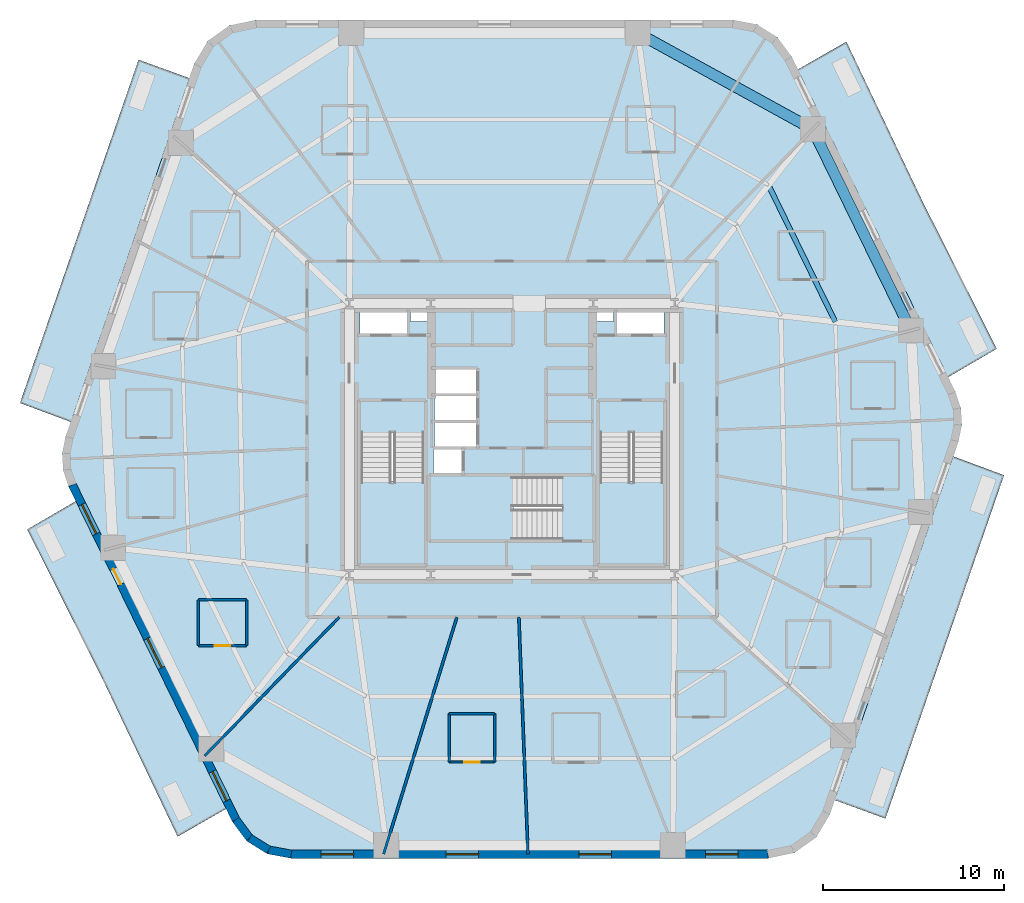
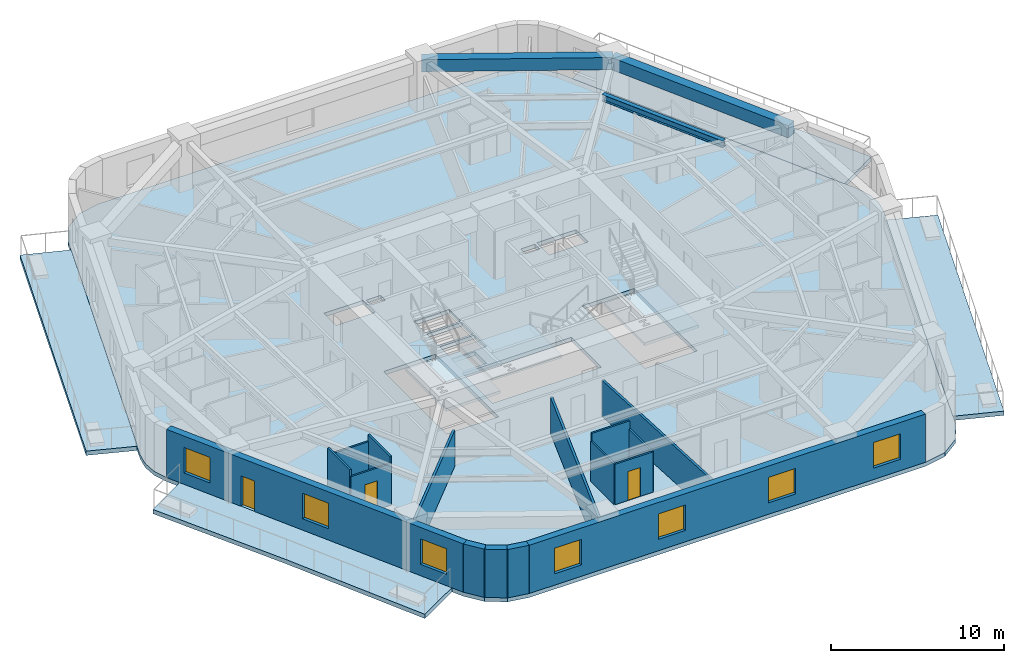
# One storey, part 2 of 10: 16 walls, 8 slabs, 7 windows, 3 beams, 3 doors, 10 openings, 3 elements without a shape of their own.
"""IFC4 building model written with IfcOpenShell, lengths in metres."""

import ifcopenshell
import ifcopenshell.guid

model = None  # the IFC model being written
_history = None  # IfcOwnerHistory: only IFC2X3 demands one
_inside = {}  # id of a spatial element -> (the spatial element, [elements in it])
_under = {}  # id of a project, library or spatial element -> (it, [spatial elements below it])
_declared = {}  # id of a project -> (the project, [libraries it declares])
_typed = {}  # id of a type object -> (the type object, [elements of that type])
_made_of = {}  # id of a material, layer set ... -> (it, [elements and type objects made of it])


def new_model(schema):
    """Start an empty IFC model of exactly this schema.

    Asked for "IFC4X3", IfcOpenShell would pick the latest addendum, in which some entities
    have other attributes; the version numbers below select the first issue.
    IFC2X3 requires an IfcOwnerHistory on every rooted entity: one is made here for all.
    """
    global model, _history
    if schema == "IFC4X3":
        model = ifcopenshell.file(schema_version=(4, 3, 0, 0))
    else:
        model = ifcopenshell.file(schema=schema)
    _inside.clear()
    _under.clear()
    _declared.clear()
    _typed.clear()
    _made_of.clear()
    _history = None
    if model.schema == "IFC2X3":
        org = make("IfcOrganization", Name="unknown")
        user = make(
            "IfcPersonAndOrganization",
            ThePerson=make("IfcPerson", FamilyName="unknown"),
            TheOrganization=org,
        )
        app = make(
            "IfcApplication",
            ApplicationDeveloper=org,
            Version="unknown",
            ApplicationFullName="unknown",
            ApplicationIdentifier="unknown",
        )
        _history = make(
            "IfcOwnerHistory",
            OwningUser=user,
            OwningApplication=app,
            ChangeAction="ADDED",
            CreationDate=0,
        )
    return model


def make(cls, **values):
    """One entity of the class cls with the attributes given. An attribute that is None is left unset."""
    return model.create_entity(
        cls, **{name: value for name, value in values.items() if value is not None}
    )


def rooted(cls, **values):
    """An entity with a GlobalId (a new one), such as an element, a storey or a relation."""
    return make(cls, GlobalId=ifcopenshell.guid.new(), OwnerHistory=_history, **values)


def si_unit(unit_type, name, prefix=None):
    """IfcSIUnit, for example si_unit("LENGTHUNIT", "METRE", prefix="MILLI")."""
    return make("IfcSIUnit", UnitType=unit_type, Prefix=prefix, Name=name)


def assignment(units):
    """IfcUnitAssignment: the units of a project."""
    return None if units is None else make("IfcUnitAssignment", Units=units)


def point(xyz):
    """IfcCartesianPoint."""
    return None if xyz is None else make("IfcCartesianPoint", Coordinates=xyz)


def direction(xyz):
    """IfcDirection."""
    return None if xyz is None else make("IfcDirection", DirectionRatios=xyz)


def frame(location, z_axis=None, x_axis=None):
    """IfcAxis2Placement3D, a coordinate frame: its origin and axes. An axis left out is left unset."""
    return make(
        "IfcAxis2Placement3D",
        Location=point(location),
        Axis=direction(z_axis),
        RefDirection=direction(x_axis),
    )


def frame_2d(location, x_axis=None):
    """IfcAxis2Placement2D, a coordinate frame in the plane: its origin and x axis."""
    return make(
        "IfcAxis2Placement2D", Location=point(location), RefDirection=direction(x_axis)
    )


def origin():
    """The frame at (0, 0, 0) with its axes left unset."""
    return frame((0.0, 0.0, 0.0))


def origin_2d():
    """The frame at (0, 0) in the plane with its x axis left unset."""
    return frame_2d((0.0, 0.0))


def place(relative_to, where):
    """IfcLocalPlacement: puts the frame where relative to a parent placement (None: the world)."""
    return make(
        "IfcLocalPlacement", PlacementRelTo=relative_to, RelativePlacement=where
    )


def context(
    kind, dimensions, precision=None, world=None, true_north=None, identifier=None
):
    """IfcGeometricRepresentationContext, for example the 3D "Model" context."""
    return make(
        "IfcGeometricRepresentationContext",
        ContextIdentifier=identifier,
        ContextType=kind,
        CoordinateSpaceDimension=dimensions,
        Precision=precision,
        WorldCoordinateSystem=world,
        TrueNorth=true_north,
    )


def subcontext(parent, identifier, kind, view, scale=None):
    """IfcGeometricRepresentationSubContext, for example "Body" below "Model"."""
    return make(
        "IfcGeometricRepresentationSubContext",
        ContextIdentifier=identifier,
        ContextType=kind,
        ParentContext=parent,
        TargetScale=scale,
        TargetView=view,
    )


def project(units=None, contexts=None):
    """IfcProject with its units and contexts."""
    return rooted(
        "IfcProject",
        Name="project",
        RepresentationContexts=contexts,
        UnitsInContext=assignment(units),
    )


def spatial(cls, under=None, at=None, **own):
    """A site, building, storey or space (cls), placed at a placement, below another one or the project."""
    s = rooted(cls, ObjectPlacement=at, **own)
    if under is not None:
        _under.setdefault(under.id(), (under, []))[1].append(s)
    return s


def polyline(points):
    """IfcPolyline through the points."""
    return make("IfcPolyline", Points=[point(p) for p in points])


def profile(cls, at=None, kind="AREA", **sizes):
    """A parametric profile (cls). Its sizes go by their IFC names, for example OverallWidth=200.0."""
    return make(cls, ProfileType=kind, Position=at, **sizes)


def rectangle(**sizes):
    """IfcRectangleProfileDef."""
    return profile("IfcRectangleProfileDef", **sizes)


def i_section(**sizes):
    """IfcIShapeProfileDef."""
    return profile("IfcIShapeProfileDef", **sizes)


def outline(outer, holes=None, kind="AREA"):
    """IfcArbitraryClosedProfileDef: a profile drawn as a closed curve; with holes, ...WithVoids."""
    if holes is None:
        return make("IfcArbitraryClosedProfileDef", ProfileType=kind, OuterCurve=outer)
    return make(
        "IfcArbitraryProfileDefWithVoids",
        ProfileType=kind,
        OuterCurve=outer,
        InnerCurves=holes,
    )


def extrude(swept, where, along, depth):
    """IfcExtrudedAreaSolid: the profile swept, set in the frame where, extruded along a direction by depth."""
    return make(
        "IfcExtrudedAreaSolid",
        SweptArea=swept,
        Position=where,
        ExtrudedDirection=direction(along),
        Depth=depth,
    )


def shape(context_of_items, identifier, shape_type, items):
    """IfcShapeRepresentation: the items that make up one representation, for example the "Body"."""
    return make(
        "IfcShapeRepresentation",
        ContextOfItems=context_of_items,
        RepresentationIdentifier=identifier,
        RepresentationType=shape_type,
        Items=items,
    )


def material(Name=None, Category=None):
    """IfcMaterial."""
    return make("IfcMaterial", Name=Name, Category=Category)


def layer(
    of_material, thickness, ventilated=None, Name=None, Category=None, Priority=None
):
    """IfcMaterialLayer: one layer of a wall or slab, of a material (None: an air gap)."""
    return make(
        "IfcMaterialLayer",
        Material=of_material,
        LayerThickness=thickness,
        IsVentilated=ventilated,
        Name=Name,
        Category=Category,
        Priority=Priority,
    )


def layer_set(layers, Name=None):
    """IfcMaterialLayerSet."""
    return make("IfcMaterialLayerSet", MaterialLayers=layers, LayerSetName=Name)


def material_profile(
    of_material, cross_section, Name=None, Category=None, Priority=None
):
    """IfcMaterialProfile: a cross section and its material."""
    return make(
        "IfcMaterialProfile",
        Name=Name,
        Material=of_material,
        Profile=cross_section,
        Priority=Priority,
        Category=Category,
    )


def profile_set(profiles, Name=None, composite=None):
    """IfcMaterialProfileSet."""
    return make(
        "IfcMaterialProfileSet",
        Name=Name,
        MaterialProfiles=profiles,
        CompositeProfile=composite,
    )


def made_of(thing, what):
    """Note that an element or type object is made of a material, layer set ...; save() writes the relation."""
    if what is not None:
        _made_of.setdefault(what.id(), (what, []))[1].append(thing)
    return thing


def type_object(cls, material=None, **own):
    """A type object (cls), such as IfcWallType, which elements share."""
    return made_of(rooted(cls, **own), material)


def element(
    cls,
    number,
    at=None,
    inside=None,
    cuts=None,
    type_object=None,
    material=None,
    context=None,
    identifier="Body",
    shape_type=None,
    held_by="IfcProductDefinitionShape",
    body=None,
    shapes=None,
    **own,
):
    """One element of the class cls, such as IfcWall. Its Tag is "e" and its number.

    at: its placement. inside: the storey or other place that contains it. cuts: it is an
    opening in that element (IfcRelVoidsElement). A single representation is given by context,
    identifier, shape_type and body (its items); several are given by shapes. held_by: the class
    of the entity that holds the representations. save() writes the other relations.
    """
    e = rooted(cls, Tag="e%d" % number, ObjectPlacement=at, **own)
    if body is not None:
        shapes = [shape(context, identifier, shape_type, body)]
    if shapes is not None:
        e.Representation = make(held_by, Representations=shapes)
    if inside is not None:
        _inside.setdefault(inside.id(), (inside, []))[1].append(e)
    if cuts is not None:
        rooted(
            "IfcRelVoidsElement", RelatingBuildingElement=cuts, RelatedOpeningElement=e
        )
    if type_object is not None:
        _typed.setdefault(type_object.id(), (type_object, []))[1].append(e)
    return made_of(e, material)


def fill(opening, filler):
    """IfcRelFillsElement: the door or window that sits in an opening."""
    return rooted(
        "IfcRelFillsElement",
        RelatingOpeningElement=opening,
        RelatedBuildingElement=filler,
    )


def aggregate(whole, parts):
    """IfcRelAggregates: a whole, such as a stair, and the parts it consists of."""
    return rooted("IfcRelAggregates", RelatingObject=whole, RelatedObjects=parts)


def save(model, path):
    """Write the relations noted so far, then the file.

    IfcRelAggregates (storeys below a building ...), IfcRelContainedInSpatialStructure (elements
    in a storey), IfcRelDefinesByType, IfcRelAssociatesMaterial and IfcRelDeclares: one each for
    every whole, place, type object, material and project.
    """
    for whole, parts in _under.values():
        aggregate(whole, parts)
    for where, things in _inside.values():
        rooted(
            "IfcRelContainedInSpatialStructure",
            RelatedElements=things,
            RelatingStructure=where,
        )
    for kind, things in _typed.values():
        rooted("IfcRelDefinesByType", RelatedObjects=things, RelatingType=kind)
    for what, things in _made_of.values():
        rooted("IfcRelAssociatesMaterial", RelatedObjects=things, RelatingMaterial=what)
    for by, libraries in _declared.values():
        rooted("IfcRelDeclares", RelatingContext=by, RelatedDefinitions=libraries)
    model.write(path)


model = new_model("IFC4")

# Units and contexts
model_context = context("Model", 3, precision=1e-05, world=origin(), true_north=direction((0.0, 1.0)))
body_context = subcontext(model_context, "Body", "Model", "MODEL_VIEW")
ifc_project = project(units=[si_unit("LENGTHUNIT", "METRE"), si_unit("AREAUNIT", "SQUARE_METRE"), si_unit("VOLUMEUNIT", "CUBIC_METRE"), si_unit("PLANEANGLEUNIT", "RADIAN"), si_unit("MASSUNIT", "GRAM", prefix="KILO")], contexts=[model_context])

# Site, building, storey
site_placement = place(None, origin())
site = spatial("IfcSite", under=ifc_project, at=site_placement, CompositionType="ELEMENT")
building_placement = place(site_placement, origin())
building = spatial("IfcBuilding", under=site, at=building_placement, Name="Kilnhurst Terrace Hotel", CompositionType="ELEMENT")
storey_placement = place(building_placement, frame((0.0, 0.0, 49.0)))
storey = spatial("IfcBuildingStorey", under=building, at=storey_placement, Name="L10", CompositionType="ELEMENT", Elevation=49.0)

# Beams
ifc_material_1 = material(Name="Concrete C50/60", Category="concrete")
ifc_material_profile_1 = material_profile(ifc_material_1, rectangle(XDim=0.60009765625, YDim=0.85009765625, at=origin_2d()), Name="RC600X850")
ifc_profile_set_1 = profile_set([ifc_material_profile_1], Name="Concrete C50/60")
beam_type_1 = type_object("IfcBeamType", Name="BM-SPN-600X850", PredefinedType="SPANDREL", material=ifc_profile_set_1)
beam_1_placement = place(storey_placement, frame((22.083984375, 6.013916015625, 2.97509765625), z_axis=(-0.438922573627, 0.898524888003, 0.0), x_axis=(-0.898524888003, -0.438922573627, 0.0)))
element("IfcBeam", 1, at=beam_1_placement, inside=storey, type_object=beam_type_1, Name="L10 Perimeter Spandrel Beam 5", PredefinedType="SPANDREL", context=body_context, shape_type="SweptSolid", body=[
    extrude(rectangle(XDim=0.60009765625, YDim=0.85009765625, at=origin_2d()), origin(), (0.0, 0.0, 1.0), 12.39599609375),
])
beam_2_placement = place(storey_placement, frame((16.64306640625, 17.152099609375, 2.97509765625), z_axis=(-0.876235488803, 0.481883147829, 0.0), x_axis=(-0.481883147829, -0.876235488803, 0.0)))
element("IfcBeam", 2, at=beam_2_placement, inside=storey, type_object=beam_type_1, Name="L10 Perimeter Spandrel Beam 6", PredefinedType="SPANDREL", context=body_context, shape_type="SweptSolid", body=[
    extrude(rectangle(XDim=0.60009765625, YDim=0.85009765625, at=origin_2d()), origin(), (0.0, 0.0, 1.0), 11.056396484375),
])
ifc_material_2 = material(Name="Steel ASTM A992 Grade 50", Category="steel")
ifc_material_profile_2 = material_profile(ifc_material_2, i_section(OverallWidth=0.279296875, OverallDepth=0.462890625, WebThickness=0.0107421875, FlangeThickness=0.017333984375, at=origin_2d()), Name="W18X76")
ifc_profile_set_2 = profile_set([ifc_material_profile_2], Name="Steel ASTM A992 Grade 50")
beam_type_2 = type_object("IfcBeamType", Name="JST-STL-W18X76", PredefinedType="JOIST", material=ifc_profile_set_2)
beam_3_placement = place(storey_placement, frame((17.897216796875, 6.489501953125, 3.16796875), z_axis=(-0.438934275949, 0.898519171413, 0.0), x_axis=(-0.898519171413, -0.438934275949, 0.0)))
element("IfcBeam", 3, at=beam_3_placement, inside=storey, type_object=beam_type_2, Name="L10 Secondary Floor Steel Joist OUT.5", PredefinedType="JOIST", context=body_context, shape_type="SweptSolid", body=[
    extrude(i_section(OverallWidth=0.279296875, OverallDepth=0.462890625, WebThickness=0.0107421875, FlangeThickness=0.017333984375, at=origin_2d()), origin(), (0.0, 0.0, 1.0), 8.429443359375),
])

# Slabs
ifc_layer_1 = layer(ifc_material_1, 0.300048828125, Name="Concrete C50/60")
ifc_layer_set_1 = layer_set([ifc_layer_1], Name="Concrete C50/60")
slab_type_1 = type_object("IfcSlabType", Name="SLB-BAL-300", PredefinedType="FLOOR", material=ifc_layer_set_1)
slab_1_placement = place(storey_placement, frame((0.0, 0.0, -0.300048828125)))
element("IfcSlab", 4, at=slab_1_placement, inside=storey, type_object=slab_type_1, Name="L10 Cantilevered Planted Terrace Slab BAL-L1A", PredefinedType="FLOOR", context=body_context, shape_type="SweptSolid", body=[
    extrude(outline(polyline([(23.98046875, -11.4296875), (20.670166015625, -21.0), (17.84912109375, -19.975341796875), (24.410888671875, -0.9501953125), (27.23388671875, -2.0), (23.98046875, -11.4296875)])), origin(), (0.0, 0.0, 1.0), 0.300048828125),
])
slab_2_placement = place(storey_placement, frame((0.0, 0.0, -0.300048828125)))
element("IfcSlab", 5, at=slab_2_placement, inside=storey, type_object=slab_type_1, Name="L10 Cantilevered Planted Terrace Slab BAL-L1B", PredefinedType="FLOOR", context=body_context, shape_type="SweptSolid", body=[
    extrude(outline(polyline([(26.830810546875, 5.0), (24.128662109375, 3.42333984375), (15.809814453125, 20.452880859375), (18.509521484375, 22.0), (22.697021484375, 13.21142578125), (26.830810546875, 5.0)])), origin(), (0.0, 0.0, 1.0), 0.300048828125),
])
slab_3_placement = place(storey_placement, frame((0.0, 0.0, -0.300048828125)))
element("IfcSlab", 6, at=slab_3_placement, inside=storey, type_object=slab_type_1, Name="L10 Cantilevered Planted Terrace Slab BAL-L2A", PredefinedType="FLOOR", context=body_context, shape_type="SweptSolid", body=[
    extrude(outline(polyline([(-20.670166015625, 21.0), (-17.84912109375, 19.975341796875), (-24.410888671875, 0.9501953125), (-27.23388671875, 2.0), (-23.98046875, 11.4296875), (-20.670166015625, 21.0)])), origin(), (0.0, 0.0, 1.0), 0.300048828125),
])
slab_4_placement = place(storey_placement, frame((0.0, 0.0, -0.300048828125)))
element("IfcSlab", 7, at=slab_4_placement, inside=storey, type_object=slab_type_1, Name="L10 Cantilevered Planted Terrace Slab BAL-L2B", PredefinedType="FLOOR", context=body_context, shape_type="SweptSolid", body=[
    extrude(outline(polyline([(-26.830810546875, -5.0), (-24.128662109375, -3.42333984375), (-15.809814453125, -20.452880859375), (-18.509521484375, -22.0), (-22.697021484375, -13.21142578125), (-26.830810546875, -5.0)])), origin(), (0.0, 0.0, 1.0), 0.300048828125),
])
ifc_layer_2 = layer(ifc_material_1, 0.280029296875, Name="Concrete C50/60")
ifc_layer_set_2 = layer_set([ifc_layer_2], Name="Concrete C50/60")
slab_type_2 = type_object("IfcSlabType", Name="SLB-FLR-280", PredefinedType="FLOOR", material=ifc_layer_set_2)
slab_5_placement = place(storey_placement, frame((0.0, 0.0, -0.280029296875)))
element("IfcSlab", 8, at=slab_5_placement, inside=storey, type_object=slab_type_2, Name="L10 Structural Floor Slab", PredefinedType="FLOOR", context=body_context, shape_type="SweptSolid", body=[
    extrude(outline(polyline([(-15.476806640625, -21.18017578125), (-14.680908203125, -22.248046875), (-13.551025390625, -22.95361328125), (-12.241943359375, -23.199951171875), (14.191650390625, -23.199951171875), (15.635986328125, -22.8974609375), (16.837890625, -22.040771484375), (17.5947265625, -20.773681640625), (24.712890625, -0.135986328125), (24.90087890625, 0.7861328125), (24.843505859375, 1.7255859375), (24.54443359375, 2.617919921875), (15.476806640625, 21.18017578125), (14.680908203125, 22.248046875), (13.551025390625, 22.95361328125), (12.241943359375, 23.199951171875), (-14.191650390625, 23.199951171875), (-15.635986328125, 22.8974609375), (-16.837890625, 22.040771484375), (-17.5947265625, 20.773681640625), (-24.712890625, 0.135986328125), (-24.90087890625, -0.7861328125), (-24.843505859375, -1.7255859375), (-24.54443359375, -2.617919921875), (-15.476806640625, -21.18017578125)]), holes=[polyline([(-8.35009765625, 0.35498046875), (-4.8798828125, 0.35498046875), (-4.8798828125, -6.89990234375), (-8.35009765625, -6.89990234375), (-8.35009765625, 0.35498046875)]), polyline([(-2.800048828125, -1.89990234375), (-4.35009765625, -1.89990234375), (-4.35009765625, -0.550048828125), (-2.800048828125, -0.550048828125), (-2.800048828125, -1.89990234375)]), polyline([(-1.949951171875, -0.429931640625), (-4.300048828125, -0.429931640625), (-4.300048828125, 0.89990234375), (-1.949951171875, 0.89990234375), (-1.949951171875, -0.429931640625)]), polyline([(-4.300048828125, 1.050048828125), (-4.300048828125, 2.3798828125), (-1.949951171875, 2.3798828125), (-1.949951171875, 1.050048828125), (-4.300048828125, 1.050048828125)]), polyline([(-8.39990234375, 5.75), (-8.39990234375, 7.14990234375), (-5.800048828125, 7.14990234375), (-5.800048828125, 5.75), (-8.39990234375, 5.75)]), polyline([(-4.659912109375, 6.52001953125), (-5.6201171875, 6.52001953125), (-5.6201171875, 7.080078125), (-4.659912109375, 7.080078125), (-4.659912109375, 6.52001953125)]), polyline([(2.7548828125, -5.550048828125), (-4.5, -5.550048828125), (-4.5, -2.080078125), (2.7548828125, -2.080078125), (2.7548828125, -5.550048828125)]), polyline([(8.35009765625, 0.35498046875), (8.35009765625, -6.89990234375), (4.8798828125, -6.89990234375), (4.8798828125, 0.35498046875), (8.35009765625, 0.35498046875)]), polyline([(-1.949951171875, 2.530029296875), (-4.300048828125, 2.530029296875), (-4.300048828125, 3.860107421875), (-1.949951171875, 3.860107421875), (-1.949951171875, 2.530029296875)]), polyline([(5.800048828125, 5.75), (5.800048828125, 7.14990234375), (8.39990234375, 7.14990234375), (8.39990234375, 5.75), (5.800048828125, 5.75)]), polyline([(4.659912109375, 6.52001953125), (4.659912109375, 7.080078125), (5.6201171875, 7.080078125), (5.6201171875, 6.52001953125), (4.659912109375, 6.52001953125)])]), origin(), (0.0, 0.0, 1.0), 0.280029296875),
])

# Stair, slab
stair_type = type_object("IfcStairType", Name="STR-CORE-1660", PredefinedType="HALF_TURN_STAIR", material=ifc_material_1)
stair_1_placement = place(storey_placement, origin())
stair_1 = element("IfcStair", 9, at=stair_1_placement, inside=storey, type_object=stair_type, Name="L10 ST-1", PredefinedType="HALF_TURN_STAIR")
ifc_layer_3 = layer(ifc_material_1, 0.199951171875, Name="Concrete C50/60")
ifc_layer_set_3 = layer_set([ifc_layer_3], Name="Concrete C50/60")
slab_type_3 = type_object("IfcSlabType", Name="SLB-ST-LND-200", PredefinedType="LANDING", material=ifc_layer_set_3)
slab_6_placement = place(storey_placement, frame((0.0, 0.0, 1.64990234375)))
slab_6 = element("IfcSlab", 10, at=slab_6_placement, type_object=slab_type_3, Name="ST-1 landing 1", PredefinedType="LANDING", context=body_context, shape_type="SweptSolid", body=[
    extrude(outline(polyline([(-8.429931640625, -2.330078125), (-4.800048828125, -2.330078125), (-4.800048828125, -6.97998046875), (-8.429931640625, -6.97998046875), (-8.429931640625, -2.330078125)])), origin(), (0.0, 0.0, 1.0), 0.2001953125),
])
aggregate(stair_1, [slab_6])

stair_2_placement = place(storey_placement, origin())
stair_2 = element("IfcStair", 11, at=stair_2_placement, inside=storey, type_object=stair_type, Name="L10 ST-2", PredefinedType="HALF_TURN_STAIR")
slab_7_placement = place(storey_placement, frame((0.0, 0.0, 1.64990234375)))
slab_7 = element("IfcSlab", 12, at=slab_7_placement, type_object=slab_type_3, Name="ST-2 landing 1", PredefinedType="LANDING", context=body_context, shape_type="SweptSolid", body=[
    extrude(outline(polyline([(4.800048828125, -2.330078125), (8.429931640625, -2.330078125), (8.429931640625, -6.97998046875), (4.800048828125, -6.97998046875), (4.800048828125, -2.330078125)])), origin(), (0.0, 0.0, 1.0), 0.2001953125),
])
aggregate(stair_2, [slab_7])

stair_3_placement = place(storey_placement, origin())
stair_3 = element("IfcStair", 13, at=stair_3_placement, inside=storey, type_object=stair_type, Name="L10 ST-3", PredefinedType="HALF_TURN_STAIR")
slab_8_placement = place(storey_placement, frame((0.0, 0.0, 1.64990234375)))
slab_8 = element("IfcSlab", 14, at=slab_8_placement, type_object=slab_type_3, Name="ST-3 landing 1", PredefinedType="LANDING", context=body_context, shape_type="SweptSolid", body=[
    extrude(outline(polyline([(0.070068359375, -2.0), (0.070068359375, -5.6298828125), (-4.580078125, -5.6298828125), (-4.580078125, -2.0), (0.070068359375, -2.0)])), origin(), (0.0, 0.0, 1.0), 0.2001953125),
])
aggregate(stair_3, [slab_8])

# Walls
ifc_material_3 = material(Name="Precast concrete C40/50", Category="concrete")
ifc_layer_4 = layer(ifc_material_3, 0.449951171875, Name="Precast concrete C40/50")
ifc_layer_set_4 = layer_set([ifc_layer_4], Name="Precast concrete C40/50")
wall_type_1 = type_object("IfcWallType", Name="WL-BRK-450", PredefinedType="SOLIDWALL", material=ifc_layer_set_4)
wall_1_placement = place(storey_placement, frame((-15.28369140625, -21.0625, 0.0), z_axis=(0.0, 0.0, 1.0), x_axis=(0.597595366449, -0.801797841104, 0.0)))
element("IfcWall", 15, at=wall_1_placement, inside=storey, type_object=wall_type_1, Name="L10 Rounded Corner Brick Wall C1.1", PredefinedType="SOLIDWALL", context=body_context, shape_type="SweptSolid", body=[
    extrude(rectangle(XDim=1.2685546875, YDim=0.449951171875, at=frame_2d((0.63427734375, 0.0))), origin(), (0.0, 0.0, 1.0), 3.39990234375),
])
wall_2_placement = place(storey_placement, frame((-14.525634765625, -22.07958984375, 0.0), z_axis=(0.0, 0.0, 1.0), x_axis=(0.848185203596, -0.529699783275, 0.0)))
element("IfcWall", 16, at=wall_2_placement, inside=storey, type_object=wall_type_1, Name="L10 Rounded Corner Brick Wall C1.2", PredefinedType="SOLIDWALL", context=body_context, shape_type="SweptSolid", body=[
    extrude(rectangle(XDim=1.247314453125, YDim=0.449951171875, at=frame_2d((0.62353515625, 0.0))), origin(), (0.0, 0.0, 1.0), 3.39990234375),
])
wall_3_placement = place(storey_placement, frame((-13.4677734375, -22.740234375, 0.0), z_axis=(0.0, 0.0, 1.0), x_axis=(0.982717174228, -0.185113358451, 0.0)))
element("IfcWall", 17, at=wall_3_placement, inside=storey, type_object=wall_type_1, Name="L10 Rounded Corner Brick Wall C1.3", PredefinedType="SOLIDWALL", context=body_context, shape_type="SweptSolid", body=[
    extrude(rectangle(XDim=1.268798828125, YDim=0.449951171875, at=frame_2d((0.63427734375, 0.0))), origin(), (0.0, 0.0, 1.0), 3.39990234375),
])

# Wall, openings, windows
wall_4_placement = place(storey_placement, frame((-12.220947265625, -22.97509765625, 0.0), z_axis=(0.0, 0.0, 1.0), x_axis=(1.0, 0.0, 0.0)))
wall_4 = element("IfcWall", 18, at=wall_4_placement, inside=storey, type_object=wall_type_1, Name="L10 Exterior Brick Facade Wall F1", PredefinedType="SOLIDWALL", context=body_context, shape_type="SweptSolid", body=[
    extrude(rectangle(XDim=26.38916015625, YDim=0.449951171875, at=frame_2d((13.194580078125, 0.0))), origin(), (0.0, 0.0, 1.0), 3.39990234375),
])
opening_1_placement = place(wall_4_placement, frame((1.653076171875, 0.0, 0.800048828125)))
opening_1 = element("IfcOpeningElement", 19, at=opening_1_placement, cuts=wall_4, Name="Opening W-01", PredefinedType="OPENING", context=body_context, shape_type="SweptSolid", body=[
    extrude(rectangle(XDim=1.800048828125, YDim=1.800048828125, at=frame_2d((0.89990234375, 0.89990234375))), frame((0.0, 0.23486328125, 0.0), z_axis=(0.0, -1.0, 0.0), x_axis=(1.0, 0.0, 0.0)), (0.0, 0.0, 1.0), 0.469970703125),
])
opening_2_placement = place(wall_4_placement, frame((8.575927734375, 0.0, 0.800048828125)))
opening_2 = element("IfcOpeningElement", 20, at=opening_2_placement, cuts=wall_4, Name="Opening W-01", PredefinedType="OPENING", context=body_context, shape_type="SweptSolid", body=[
    extrude(rectangle(XDim=1.800048828125, YDim=1.800048828125, at=frame_2d((0.89990234375, 0.89990234375))), frame((0.0, 0.23486328125, 0.0), z_axis=(0.0, -1.0, 0.0), x_axis=(1.0, 0.0, 0.0)), (0.0, 0.0, 1.0), 0.469970703125),
])
opening_3_placement = place(wall_4_placement, frame((15.927001953125, 0.0, 0.800048828125)))
opening_3 = element("IfcOpeningElement", 21, at=opening_3_placement, cuts=wall_4, Name="Opening W-01", PredefinedType="OPENING", context=body_context, shape_type="SweptSolid", body=[
    extrude(rectangle(XDim=1.800048828125, YDim=1.800048828125, at=frame_2d((0.89990234375, 0.89990234375))), frame((0.0, 0.23486328125, 0.0), z_axis=(0.0, -1.0, 0.0), x_axis=(1.0, 0.0, 0.0)), (0.0, 0.0, 1.0), 0.469970703125),
])
opening_4_placement = place(wall_4_placement, frame((22.93798828125, 0.0, 0.800048828125)))
opening_4 = element("IfcOpeningElement", 22, at=opening_4_placement, cuts=wall_4, Name="Opening W-01", PredefinedType="OPENING", context=body_context, shape_type="SweptSolid", body=[
    extrude(rectangle(XDim=1.800048828125, YDim=1.800048828125, at=frame_2d((0.89990234375, 0.89990234375))), frame((0.0, 0.23486328125, 0.0), z_axis=(0.0, -1.0, 0.0), x_axis=(1.0, 0.0, 0.0)), (0.0, 0.0, 1.0), 0.469970703125),
])
ifc_material_4 = material(Name="Thermally Broken Bronze Aluminium Alloy 6063-T6 and Low-E Glass", Category="aluminium")
window_type = type_object("IfcWindowType", Name="WIN-1800X1800", PartitioningType="SINGLE_PANEL", PredefinedType="WINDOW", material=ifc_material_4)
window_1_placement = place(opening_1_placement, origin())
window_1 = element("IfcWindow", 23, at=window_1_placement, inside=storey, type_object=window_type, Name="L10 Deep-Set Masonry Window F1.1", OverallHeight=1.800048828125, OverallWidth=1.800048828125, PartitioningType="SINGLE_PANEL", PredefinedType="WINDOW", context=body_context, shape_type="SweptSolid", body=[
    extrude(rectangle(XDim=1.800048828125, YDim=1.800048828125, at=frame_2d((0.89990234375, 0.89990234375))), frame((0.0, 0.030029296875, 0.0), z_axis=(0.0, -1.0, 0.0), x_axis=(1.0, 0.0, 0.0)), (0.0, 0.0, 1.0), 0.06005859375),
])
fill(opening_1, window_1)
window_2_placement = place(opening_2_placement, origin())
window_2 = element("IfcWindow", 24, at=window_2_placement, inside=storey, type_object=window_type, Name="L10 Deep-Set Masonry Window F1.2", OverallHeight=1.800048828125, OverallWidth=1.800048828125, PartitioningType="SINGLE_PANEL", PredefinedType="WINDOW", context=body_context, shape_type="SweptSolid", body=[
    extrude(rectangle(XDim=1.800048828125, YDim=1.800048828125, at=frame_2d((0.89990234375, 0.89990234375))), frame((0.0, 0.030029296875, 0.0), z_axis=(0.0, -1.0, 0.0), x_axis=(1.0, 0.0, 0.0)), (0.0, 0.0, 1.0), 0.06005859375),
])
fill(opening_2, window_2)
window_3_placement = place(opening_3_placement, origin())
window_3 = element("IfcWindow", 25, at=window_3_placement, inside=storey, type_object=window_type, Name="L10 Deep-Set Masonry Window F1.3", OverallHeight=1.800048828125, OverallWidth=1.800048828125, PartitioningType="SINGLE_PANEL", PredefinedType="WINDOW", context=body_context, shape_type="SweptSolid", body=[
    extrude(rectangle(XDim=1.800048828125, YDim=1.800048828125, at=frame_2d((0.89990234375, 0.89990234375))), frame((0.0, 0.030029296875, 0.0), z_axis=(0.0, -1.0, 0.0), x_axis=(1.0, 0.0, 0.0)), (0.0, 0.0, 1.0), 0.06005859375),
])
fill(opening_3, window_3)
window_4_placement = place(opening_4_placement, origin())
window_4 = element("IfcWindow", 26, at=window_4_placement, inside=storey, type_object=window_type, Name="L10 Deep-Set Masonry Window F1.4", OverallHeight=1.800048828125, OverallWidth=1.800048828125, PartitioningType="SINGLE_PANEL", PredefinedType="WINDOW", context=body_context, shape_type="SweptSolid", body=[
    extrude(rectangle(XDim=1.800048828125, YDim=1.800048828125, at=frame_2d((0.89990234375, 0.89990234375))), frame((0.0, 0.030029296875, 0.0), z_axis=(0.0, -1.0, 0.0), x_axis=(1.0, 0.0, 0.0)), (0.0, 0.0, 1.0), 0.06005859375),
])
fill(opening_4, window_4)

# Wall, openings, door, windows
wall_5_placement = place(storey_placement, frame((-24.335693359375, -2.532470703125, 0.0), z_axis=(0.0, 0.0, 1.0), x_axis=(0.438931326393, -0.898520612291, 0.0)))
wall_5 = element("IfcWall", 27, at=wall_5_placement, inside=storey, type_object=wall_type_1, Name="L10 Exterior Brick Facade Wall F6", PredefinedType="SOLIDWALL", context=body_context, shape_type="SweptSolid", body=[
    extrude(rectangle(XDim=20.622802734375, YDim=0.449951171875, at=frame_2d((10.3115234375, 0.0))), origin(), (0.0, 0.0, 1.0), 3.39990234375),
])
opening_5_placement = place(wall_5_placement, frame((5.1708984375, 0.0, 0.0)))
opening_5 = element("IfcOpeningElement", 28, at=opening_5_placement, cuts=wall_5, Name="Opening BD-950", PredefinedType="OPENING", context=body_context, shape_type="SweptSolid", body=[
    extrude(rectangle(XDim=0.949951171875, YDim=2.14990234375, at=frame_2d((0.47509765625, 1.074951171875))), frame((0.0, 0.23486328125, 0.0), z_axis=(0.0, -1.0, 0.0), x_axis=(1.0, 0.0, 0.0)), (0.0, 0.0, 1.0), 0.469970703125),
])
opening_6_placement = place(wall_5_placement, frame((1.214111328125, 0.0, 0.800048828125)))
opening_6 = element("IfcOpeningElement", 29, at=opening_6_placement, cuts=wall_5, Name="Opening W-01", PredefinedType="OPENING", context=body_context, shape_type="SweptSolid", body=[
    extrude(rectangle(XDim=1.800048828125, YDim=1.800048828125, at=frame_2d((0.89990234375, 0.89990234375))), frame((0.0, 0.23486328125, 0.0), z_axis=(0.0, -1.0, 0.0), x_axis=(1.0, 0.0, 0.0)), (0.0, 0.0, 1.0), 0.469970703125),
])
opening_7_placement = place(wall_5_placement, frame((9.4619140625, 0.0, 0.800048828125)))
opening_7 = element("IfcOpeningElement", 30, at=opening_7_placement, cuts=wall_5, Name="Opening W-01", PredefinedType="OPENING", context=body_context, shape_type="SweptSolid", body=[
    extrude(rectangle(XDim=1.800048828125, YDim=1.800048828125, at=frame_2d((0.89990234375, 0.89990234375))), frame((0.0, 0.23486328125, 0.0), z_axis=(0.0, -1.0, 0.0), x_axis=(1.0, 0.0, 0.0)), (0.0, 0.0, 1.0), 0.469970703125),
])
opening_8_placement = place(wall_5_placement, frame((17.659912109375, 0.0, 0.800048828125)))
opening_8 = element("IfcOpeningElement", 31, at=opening_8_placement, cuts=wall_5, Name="Opening W-01", PredefinedType="OPENING", context=body_context, shape_type="SweptSolid", body=[
    extrude(rectangle(XDim=1.800048828125, YDim=1.800048828125, at=frame_2d((0.89990234375, 0.89990234375))), frame((0.0, 0.23486328125, 0.0), z_axis=(0.0, -1.0, 0.0), x_axis=(1.0, 0.0, 0.0)), (0.0, 0.0, 1.0), 0.469970703125),
])
ifc_material_5 = material(Name="Thermally Broken Bronze Aluminium Alloy 6063-T6 and Laminated Glass", Category="aluminium")
door_type_1 = type_object("IfcDoorType", Name="DR-EXT-BAL-950", OperationType="NOTDEFINED", PredefinedType="DOOR", material=ifc_material_5)
door_1_placement = place(opening_5_placement, origin())
door_1 = element("IfcDoor", 32, at=door_1_placement, inside=storey, type_object=door_type_1, Name="L10 Planted Balcony Door BAL-L2B", OperationType="SINGLE_SWING_RIGHT", OverallHeight=2.14990234375, OverallWidth=0.949951171875, PredefinedType="DOOR", context=body_context, shape_type="SweptSolid", body=[
    extrude(rectangle(XDim=0.949951171875, YDim=2.14990234375, at=frame_2d((0.47509765625, 1.074951171875))), frame((0.0, 0.02490234375, 0.0), z_axis=(0.0, -1.0, 0.0), x_axis=(1.0, 0.0, 0.0)), (0.0, 0.0, 1.0), 0.050048828125),
])
fill(opening_5, door_1)
window_5_placement = place(opening_6_placement, origin())
window_5 = element("IfcWindow", 33, at=window_5_placement, inside=storey, type_object=window_type, Name="L10 Deep-Set Masonry Window F6.1", OverallHeight=1.800048828125, OverallWidth=1.800048828125, PartitioningType="SINGLE_PANEL", PredefinedType="WINDOW", context=body_context, shape_type="SweptSolid", body=[
    extrude(rectangle(XDim=1.800048828125, YDim=1.800048828125, at=frame_2d((0.89990234375, 0.89990234375))), frame((0.0, 0.030029296875, 0.0), z_axis=(0.0, -1.0, 0.0), x_axis=(1.0, 0.0, 0.0)), (0.0, 0.0, 1.0), 0.06005859375),
])
fill(opening_6, window_5)
window_6_placement = place(opening_7_placement, origin())
window_6 = element("IfcWindow", 34, at=window_6_placement, inside=storey, type_object=window_type, Name="L10 Deep-Set Masonry Window F6.2", OverallHeight=1.800048828125, OverallWidth=1.800048828125, PartitioningType="SINGLE_PANEL", PredefinedType="WINDOW", context=body_context, shape_type="SweptSolid", body=[
    extrude(rectangle(XDim=1.800048828125, YDim=1.800048828125, at=frame_2d((0.89990234375, 0.89990234375))), frame((0.0, 0.030029296875, 0.0), z_axis=(0.0, -1.0, 0.0), x_axis=(1.0, 0.0, 0.0)), (0.0, 0.0, 1.0), 0.06005859375),
])
fill(opening_7, window_6)
window_7_placement = place(opening_8_placement, origin())
window_7 = element("IfcWindow", 35, at=window_7_placement, inside=storey, type_object=window_type, Name="L10 Deep-Set Masonry Window F6.3", OverallHeight=1.800048828125, OverallWidth=1.800048828125, PartitioningType="SINGLE_PANEL", PredefinedType="WINDOW", context=body_context, shape_type="SweptSolid", body=[
    extrude(rectangle(XDim=1.800048828125, YDim=1.800048828125, at=frame_2d((0.89990234375, 0.89990234375))), frame((0.0, 0.030029296875, 0.0), z_axis=(0.0, -1.0, 0.0), x_axis=(1.0, 0.0, 0.0)), (0.0, 0.0, 1.0), 0.06005859375),
])
fill(opening_8, window_7)

# Walls
ifc_material_6 = material(Name="STC-58 Acoustic Twin-Frame Guestroom Demising Partition")
ifc_layer_5 = layer(ifc_material_6, 0.14990234375, Name="STC-58 Acoustic Twin-Frame Guestroom Demising Partition")
ifc_layer_set_5 = layer_set([ifc_layer_5], Name="STC-58 Acoustic Twin-Frame Guestroom Demising Partition")
wall_type_2 = type_object("IfcWallType", Name="WL-DEM-150", PredefinedType="PARTITIONING", material=ifc_layer_set_5)
wall_6_placement = place(storey_placement, frame((-9.5576171875, -9.85009765625, 0.0), z_axis=(0.0, 0.0, 1.0), x_axis=(-0.69638346089, -0.717669893056, 0.0)))
element("IfcWall", 36, at=wall_6_placement, inside=storey, type_object=wall_type_2, Name="L10 Interior Wall WL-L10-DEM-COL08-13-1", PredefinedType="PARTITIONING", context=body_context, shape_type="SweptSolid", body=[
    extrude(rectangle(XDim=10.700927734375, YDim=0.14990234375, at=frame_2d((5.3505859375, 0.0))), origin(), (0.0, 0.0, 1.0), 2.5400390625),
])
wall_7_placement = place(storey_placement, frame((-3.047607421875, -9.85009765625, 0.0), z_axis=(0.0, 0.0, 1.0), x_axis=(-0.295553992761, -0.955326037206, 0.0)))
element("IfcWall", 37, at=wall_7_placement, inside=storey, type_object=wall_type_2, Name="L10 Interior Wall WL-L10-DEM-COL09-14-1", PredefinedType="PARTITIONING", context=body_context, shape_type="SweptSolid", body=[
    extrude(rectangle(XDim=13.73876953125, YDim=0.14990234375, at=frame_2d((6.869384765625, 0.0))), origin(), (0.0, 0.0, 1.0), 2.5400390625),
])
wall_8_placement = place(storey_placement, frame((0.3798828125, -9.85009765625, 0.0), z_axis=(0.0, 0.0, 1.0), x_axis=(0.038568751747, -0.999255948888, 0.0)))
element("IfcWall", 38, at=wall_8_placement, inside=storey, type_object=wall_type_2, Name="L10 Interior Wall WL-L10-DEM-MID09-15-1", PredefinedType="PARTITIONING", context=body_context, shape_type="SweptSolid", body=[
    extrude(rectangle(XDim=13.134765625, YDim=0.14990234375, at=frame_2d((6.5673828125, 0.0))), origin(), (0.0, 0.0, 1.0), 2.5400390625),
])

# Wall, opening, door
ifc_material_7 = material(Name="120 mm Moisture-Resistant Tile-Backed Bathroom Partition")
ifc_layer_6 = layer(ifc_material_7, 0.1201171875, Name="120 mm Moisture-Resistant Tile-Backed Bathroom Partition")
ifc_layer_set_6 = layer_set([ifc_layer_6], Name="120 mm Moisture-Resistant Tile-Backed Bathroom Partition")
wall_type_3 = type_object("IfcWallType", Name="WL-PART-120", PredefinedType="PARTITIONING", material=ifc_layer_set_6)
wall_9_placement = place(storey_placement, frame((-17.364013671875, -11.43505859375, 0.0), z_axis=(0.0, 0.0, 1.0), x_axis=(1.0, 0.0, 0.0)))
wall_9 = element("IfcWall", 39, at=wall_9_placement, inside=storey, type_object=wall_type_3, Name="L10 Interior Wall WL-L10-BTH-12-1", PredefinedType="PARTITIONING", context=body_context, shape_type="SweptSolid", body=[
    extrude(rectangle(XDim=2.679931640625, YDim=0.1201171875, at=frame_2d((1.33984375, 0.0))), origin(), (0.0, 0.0, 1.0), 2.926513671875),
])
opening_9_placement = place(wall_9_placement, frame((0.9150390625, 0.0, 0.0)))
opening_9 = element("IfcOpeningElement", 40, at=opening_9_placement, cuts=wall_9, Name="Opening D-08A", PredefinedType="OPENING", context=body_context, shape_type="SweptSolid", body=[
    extrude(rectangle(XDim=0.85009765625, YDim=2.030029296875, at=frame_2d((0.425048828125, 1.01513671875))), frame((0.0, 0.070068359375, 0.0), z_axis=(0.0, -1.0, 0.0), x_axis=(1.0, 0.0, 0.0)), (0.0, 0.0, 1.0), 0.14013671875),
])
ifc_material_8 = material(Name="Moisture-Resistant Lacquered En-suite Bathroom Door")
door_type_2 = type_object("IfcDoorType", Name="DR-INT-850", OperationType="NOTDEFINED", PredefinedType="DOOR", material=ifc_material_8)
door_2_placement = place(opening_9_placement, origin())
door_2 = element("IfcDoor", 41, at=door_2_placement, inside=storey, type_object=door_type_2, Name="L10 En-suite Bathroom Door 12", OperationType="SINGLE_SWING_LEFT", OverallHeight=2.030029296875, OverallWidth=0.85009765625, PredefinedType="DOOR", context=body_context, shape_type="SweptSolid", body=[
    extrude(rectangle(XDim=0.85009765625, YDim=2.030029296875, at=frame_2d((0.425048828125, 1.01513671875))), frame((0.0, 0.02490234375, 0.0), z_axis=(0.0, -1.0, 0.0), x_axis=(1.0, 0.0, 0.0)), (0.0, 0.0, 1.0), 0.050048828125),
])
fill(opening_9, door_2)

# Walls
wall_10_placement = place(storey_placement, frame((-14.68408203125, -11.43505859375, 0.0), z_axis=(0.0, 0.0, 1.0), x_axis=(0.0, 1.0, 0.0)))
element("IfcWall", 42, at=wall_10_placement, inside=storey, type_object=wall_type_3, Name="L10 Interior Wall WL-L10-BTH-12-2", PredefinedType="PARTITIONING", context=body_context, shape_type="SweptSolid", body=[
    extrude(rectangle(XDim=2.5400390625, YDim=0.1201171875, at=frame_2d((1.27001953125, 0.0))), origin(), (0.0, 0.0, 1.0), 3.39990234375),
])
wall_11_placement = place(storey_placement, frame((-14.68408203125, -8.89501953125, 0.0), z_axis=(0.0, 0.0, 1.0), x_axis=(-1.0, 0.0, 0.0)))
element("IfcWall", 43, at=wall_11_placement, inside=storey, type_object=wall_type_3, Name="L10 Interior Wall WL-L10-BTH-12-3", PredefinedType="PARTITIONING", context=body_context, shape_type="SweptSolid", body=[
    extrude(rectangle(XDim=2.679931640625, YDim=0.1201171875, at=frame_2d((1.33984375, 0.0))), origin(), (0.0, 0.0, 1.0), 2.926513671875),
])
wall_12_placement = place(storey_placement, frame((-17.364013671875, -8.89501953125, 0.0), z_axis=(0.0, 0.0, 1.0), x_axis=(0.0, -1.0, 0.0)))
element("IfcWall", 44, at=wall_12_placement, inside=storey, type_object=wall_type_3, Name="L10 Interior Wall WL-L10-BTH-12-4", PredefinedType="PARTITIONING", context=body_context, shape_type="SweptSolid", body=[
    extrude(rectangle(XDim=2.5400390625, YDim=0.1201171875, at=frame_2d((1.27001953125, 0.0))), origin(), (0.0, 0.0, 1.0), 3.39990234375),
])

# Wall, opening, door
wall_13_placement = place(storey_placement, frame((-3.47509765625, -17.876953125, 0.0), z_axis=(0.0, 0.0, 1.0), x_axis=(1.0, 0.0, 0.0)))
wall_13 = element("IfcWall", 45, at=wall_13_placement, inside=storey, type_object=wall_type_3, Name="L10 Interior Wall WL-L10-BTH-14-1", PredefinedType="PARTITIONING", context=body_context, shape_type="SweptSolid", body=[
    extrude(rectangle(XDim=2.52001953125, YDim=0.1201171875, at=frame_2d((1.260009765625, 0.0))), origin(), (0.0, 0.0, 1.0), 2.840576171875),
])
opening_10_placement = place(wall_13_placement, frame((0.8349609375, 0.0, 0.0)))
opening_10 = element("IfcOpeningElement", 46, at=opening_10_placement, cuts=wall_13, Name="Opening D-08A", PredefinedType="OPENING", context=body_context, shape_type="SweptSolid", body=[
    extrude(rectangle(XDim=0.85009765625, YDim=2.030029296875, at=frame_2d((0.425048828125, 1.01513671875))), frame((0.0, 0.070068359375, 0.0), z_axis=(0.0, -1.0, 0.0), x_axis=(1.0, 0.0, 0.0)), (0.0, 0.0, 1.0), 0.14013671875),
])
door_3_placement = place(opening_10_placement, origin())
door_3 = element("IfcDoor", 47, at=door_3_placement, inside=storey, type_object=door_type_2, Name="L10 En-suite Bathroom Door 14", OperationType="SINGLE_SWING_LEFT", OverallHeight=2.030029296875, OverallWidth=0.85009765625, PredefinedType="DOOR", context=body_context, shape_type="SweptSolid", body=[
    extrude(rectangle(XDim=0.85009765625, YDim=2.030029296875, at=frame_2d((0.425048828125, 1.01513671875))), frame((0.0, 0.02490234375, 0.0), z_axis=(0.0, -1.0, 0.0), x_axis=(1.0, 0.0, 0.0)), (0.0, 0.0, 1.0), 0.050048828125),
])
fill(opening_10, door_3)

# Walls
wall_14_placement = place(storey_placement, frame((-0.955078125, -17.876953125, 0.0), z_axis=(0.0, 0.0, 1.0), x_axis=(0.0, 1.0, 0.0)))
element("IfcWall", 48, at=wall_14_placement, inside=storey, type_object=wall_type_3, Name="L10 Interior Wall WL-L10-BTH-14-2", PredefinedType="PARTITIONING", context=body_context, shape_type="SweptSolid", body=[
    extrude(rectangle(XDim=2.679931640625, YDim=0.1201171875, at=frame_2d((1.33984375, 0.0))), origin(), (0.0, 0.0, 1.0), 2.840576171875),
])
wall_15_placement = place(storey_placement, frame((-0.955078125, -15.197021484375, 0.0), z_axis=(0.0, 0.0, 1.0), x_axis=(-1.0, 0.0, 0.0)))
element("IfcWall", 49, at=wall_15_placement, inside=storey, type_object=wall_type_3, Name="L10 Interior Wall WL-L10-BTH-14-3", PredefinedType="PARTITIONING", context=body_context, shape_type="SweptSolid", body=[
    extrude(rectangle(XDim=2.52001953125, YDim=0.1201171875, at=frame_2d((1.260009765625, 0.0))), origin(), (0.0, 0.0, 1.0), 3.39990234375),
])
wall_16_placement = place(storey_placement, frame((-3.47509765625, -15.197021484375, 0.0), z_axis=(0.0, 0.0, 1.0), x_axis=(0.0, -1.0, 0.0)))
element("IfcWall", 50, at=wall_16_placement, inside=storey, type_object=wall_type_3, Name="L10 Interior Wall WL-L10-BTH-14-4", PredefinedType="PARTITIONING", context=body_context, shape_type="SweptSolid", body=[
    extrude(rectangle(XDim=2.679931640625, YDim=0.1201171875, at=frame_2d((1.33984375, 0.0))), origin(), (0.0, 0.0, 1.0), 2.840576171875),
])

save(model, "model.ifc")
